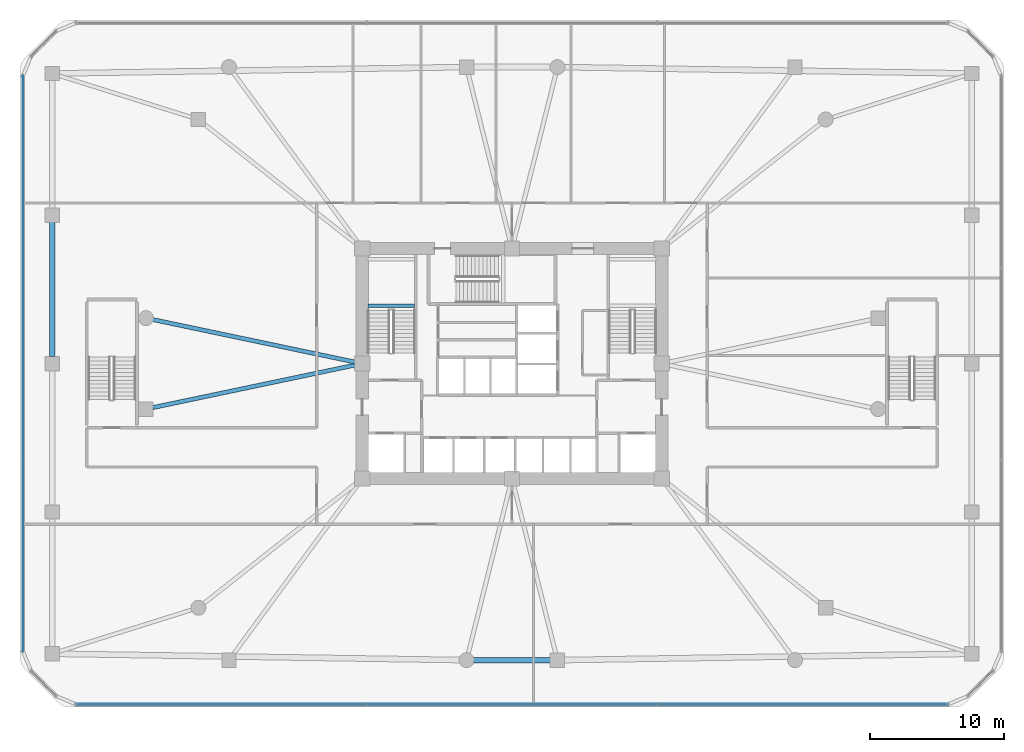
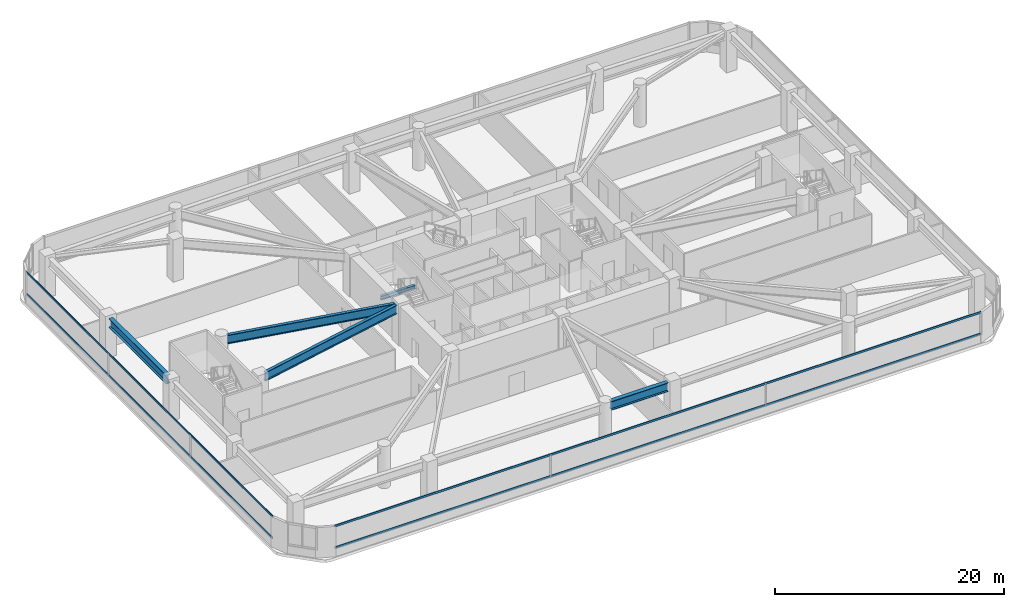
# One storey, part 3 of 21: 5 beams, 4 members, 2 elements without a shape of their own.
"""IFC4 building model written with IfcOpenShell, lengths in metres."""

from ifc_helpers import new_model, si_unit, derived_unit, direction, frame, origin, origin_2d, place, context, subcontext, project, spatial, rectangle, i_section, extrude, material, material_profile, profile_set, type_object, element, aggregate, save


model = new_model("IFC4")

# Units and contexts
model_context = context("Model", 3, precision=1e-05, world=origin(), true_north=direction((0.0, 1.0)))
body_context = subcontext(model_context, "Body", "Model", "MODEL_VIEW")
ifc_project = project(units=[si_unit("LENGTHUNIT", "METRE"), si_unit("AREAUNIT", "SQUARE_METRE"), si_unit("VOLUMEUNIT", "CUBIC_METRE"), si_unit("PLANEANGLEUNIT", "RADIAN"), si_unit("MASSUNIT", "GRAM", prefix="KILO"), derived_unit("THERMALTRANSMITTANCEUNIT", [(si_unit("POWERUNIT", "WATT"), 1), (si_unit("LENGTHUNIT", "METRE"), -2), (si_unit("THERMODYNAMICTEMPERATUREUNIT", "KELVIN"), -1)])], contexts=[model_context])

# Site, building, storey
site_placement = place(None, origin())
site = spatial("IfcSite", under=ifc_project, at=site_placement, CompositionType="ELEMENT")
building_placement = place(site_placement, origin())
building = spatial("IfcBuilding", under=site, at=building_placement, Name="Koralith Skygarden Medical Center", CompositionType="ELEMENT")
storey_placement = place(building_placement, frame((0.0, 0.0, 14.39990234375)))
storey = spatial("IfcBuildingStorey", under=building, at=storey_placement, Name="L03", CompositionType="ELEMENT", Elevation=14.39990234375)

# Curtain wall, members
ifc_material_1 = material(Name="Clear Laminated Glass", Category="glass")
curtain_wall_type = type_object("IfcCurtainWallType", Name="CW-1 Transit & Podium Acoustic Curtain Wall", PredefinedType="NOTDEFINED", material=ifc_material_1)
curtain_wall_1_placement = place(storey_placement, origin())
curtain_wall_1 = element("IfcCurtainWall", 1, at=curtain_wall_1_placement, inside=storey, type_object=curtain_wall_type, Name="Curtain Wall CW-L03-S", PredefinedType="NOTDEFINED")
ifc_material_2 = material(Name="Aluminium 6063-T6", Category="aluminium")
ifc_material_profile_1 = material_profile(ifc_material_2, rectangle(XDim=0.06298828125, YDim=0.216064453125, at=origin_2d()), Name="TRN63X216")
ifc_profile_set_1 = profile_set([ifc_material_profile_1], Name="Aluminium 6063-T6")
member_type = type_object("IfcMemberType", Name="CW-1 Thermal Transom 63x216", PredefinedType="USERDEFINED", material=ifc_profile_set_1)
member_1_placement = place(storey_placement, frame((4.37890625, 0.419921875, 0.900146484375), z_axis=(1.0, 0.0, 0.0), x_axis=(0.0, 1.0, 0.0)))
member_1 = element("IfcMember", 2, at=member_1_placement, type_object=member_type, Name="CW-L03-S Transom 1", ObjectType="TRANSOM", PredefinedType="USERDEFINED", context=body_context, shape_type="SweptSolid", body=[
    extrude(rectangle(XDim=0.06298828125, YDim=0.216064453125, at=origin_2d()), origin(), (0.0, 0.0, 1.0), 65.2421875),
])
member_2_placement = place(storey_placement, frame((4.37890625, 0.419921875, 3.190185546875), z_axis=(1.0, 0.0, 0.0), x_axis=(0.0, 1.0, 0.0)))
member_2 = element("IfcMember", 3, at=member_2_placement, type_object=member_type, Name="CW-L03-S Transom 2", ObjectType="TRANSOM", PredefinedType="USERDEFINED", context=body_context, shape_type="SweptSolid", body=[
    extrude(rectangle(XDim=0.06298828125, YDim=0.216064453125, at=origin_2d()), origin(), (0.0, 0.0, 1.0), 65.2421875),
])
aggregate(curtain_wall_1, [member_1, member_2])

curtain_wall_2_placement = place(storey_placement, origin())
curtain_wall_2 = element("IfcCurtainWall", 4, at=curtain_wall_2_placement, inside=storey, type_object=curtain_wall_type, Name="Curtain Wall CW-L03-W", PredefinedType="NOTDEFINED")
member_3_placement = place(storey_placement, frame((0.419921875, 47.4208984375, 0.900146484375), z_axis=(0.0, -1.0, 0.0), x_axis=(1.0, 0.0, 0.0)))
member_3 = element("IfcMember", 5, at=member_3_placement, type_object=member_type, Name="CW-L03-W Transom 1", ObjectType="TRANSOM", PredefinedType="USERDEFINED", context=body_context, shape_type="SweptSolid", body=[
    extrude(rectangle(XDim=0.06298828125, YDim=0.216064453125, at=origin_2d()), origin(), (0.0, 0.0, 1.0), 43.0419921875),
])
member_4_placement = place(storey_placement, frame((0.419921875, 47.4208984375, 3.190185546875), z_axis=(0.0, -1.0, 0.0), x_axis=(1.0, 0.0, 0.0)))
member_4 = element("IfcMember", 6, at=member_4_placement, type_object=member_type, Name="CW-L03-W Transom 2", ObjectType="TRANSOM", PredefinedType="USERDEFINED", context=body_context, shape_type="SweptSolid", body=[
    extrude(rectangle(XDim=0.06298828125, YDim=0.216064453125, at=origin_2d()), origin(), (0.0, 0.0, 1.0), 43.0419921875),
])
aggregate(curtain_wall_2, [member_3, member_4])

# Beams
ifc_material_3 = material(Name="Steel ASTM A992 Grade 50", Category="steel")
ifc_material_profile_2 = material_profile(ifc_material_3, i_section(OverallWidth=0.260009765625, OverallDepth=0.4150390625, WebThickness=0.010009765625, FlangeThickness=0.016845703125, at=origin_2d()), Name="W16X67")
ifc_profile_set_2 = profile_set([ifc_material_profile_2], Name="Steel ASTM A992 Grade 50")
beam_type_1 = type_object("IfcBeamType", Name="Clinical Floor Joist W16X67", PredefinedType="JOIST", material=ifc_profile_set_2)
beam_1_placement = place(storey_placement, frame((26.22998046875, 30.239990234375, 1.842041015625), z_axis=(1.0, 0.0, 0.0), x_axis=(0.0, 1.0, 0.0)))
element("IfcBeam", 7, at=beam_1_placement, inside=storey, type_object=beam_type_1, Name="L03 Stair ST1 Half-Landing Support Beam 1A", PredefinedType="JOIST", context=body_context, shape_type="SweptSolid", body=[
    extrude(i_section(OverallWidth=0.260009765625, OverallDepth=0.4150390625, WebThickness=0.010009765625, FlangeThickness=0.016845703125, at=origin_2d()), origin(), (0.0, 0.0, 1.0), 3.489990234375),
])
ifc_material_profile_3 = material_profile(ifc_material_3, i_section(OverallWidth=0.423095703125, OverallDepth=0.947998046875, WebThickness=0.02392578125, FlangeThickness=0.042724609375, at=origin_2d()), Name="W36X302")
ifc_profile_set_3 = profile_set([ifc_material_profile_3], Name="Steel ASTM A992 Grade 50")
beam_type_2 = type_object("IfcBeamType", Name="Podium Concourse Girder W36X302", PredefinedType="BEAM", material=ifc_profile_set_3)
beam_2_placement = place(storey_placement, frame((34.1201171875, 3.719970703125, 3.72607421875), z_axis=(1.0, 0.0, 0.0), x_axis=(0.0, 1.0, 0.0)))
element("IfcBeam", 8, at=beam_2_placement, inside=storey, type_object=beam_type_2, Name="L03 Podium Perimeter Beam PB-03", PredefinedType="BEAM", context=body_context, shape_type="SweptSolid", body=[
    extrude(i_section(OverallWidth=0.423095703125, OverallDepth=0.947998046875, WebThickness=0.02392578125, FlangeThickness=0.042724609375, at=origin_2d()), origin(), (0.0, 0.0, 1.0), 5.759765625),
])
beam_3_placement = place(storey_placement, frame((2.60009765625, 36.47998046875, 3.72607421875), z_axis=(0.0, -1.0, 0.0), x_axis=(1.0, 0.0, 0.0)))
element("IfcBeam", 9, at=beam_3_placement, inside=storey, type_object=beam_type_2, Name="L03 Podium Perimeter Beam PB-13", PredefinedType="BEAM", context=body_context, shape_type="SweptSolid", body=[
    extrude(i_section(OverallWidth=0.423095703125, OverallDepth=0.947998046875, WebThickness=0.02392578125, FlangeThickness=0.042724609375, at=origin_2d()), origin(), (0.0, 0.0, 1.0), 10.06005859375),
])
ifc_material_profile_4 = material_profile(ifc_material_3, i_section(OverallWidth=0.30810546875, OverallDepth=0.943115234375, WebThickness=0.022216796875, FlangeThickness=0.039794921875, at=origin_2d()), Name="W36X232")
ifc_profile_set_4 = profile_set([ifc_material_profile_4], Name="Steel ASTM A992 Grade 50")
beam_type_3 = type_object("IfcBeamType", Name="Surgical Platform Girder W36X232", PredefinedType="BEAM", material=ifc_profile_set_4)
for number, where, z_axis, x_axis, name in (
    (10, (25.251953125, 25.784912109375, 3.72900390625), (-0.978625652149, -0.205649782288, 0.0), (0.205649782288, -0.978625652149, 0.0), "L03 Podium Radial Girder PRG-01"),
    (11, (25.251953125, 26.014892578125, 3.72900390625), (-0.978622472518, 0.205664912619, 0.0), (-0.205664912619, -0.978622472518, 0.0), "L03 Podium Radial Girder PRG-16"),
):
    element("IfcBeam", number, at=place(storey_placement, frame(where, z_axis=z_axis, x_axis=x_axis)), inside=storey, type_object=beam_type_3, Name=name, PredefinedType="BEAM", context=body_context, shape_type="SweptSolid", body=[
        extrude(i_section(OverallWidth=0.30810546875, OverallDepth=0.943115234375, WebThickness=0.022216796875, FlangeThickness=0.039794921875, at=origin_2d()), origin(), (0.0, 0.0, 1.0), 15.453369140625),
    ])

save(model, "model.ifc")
